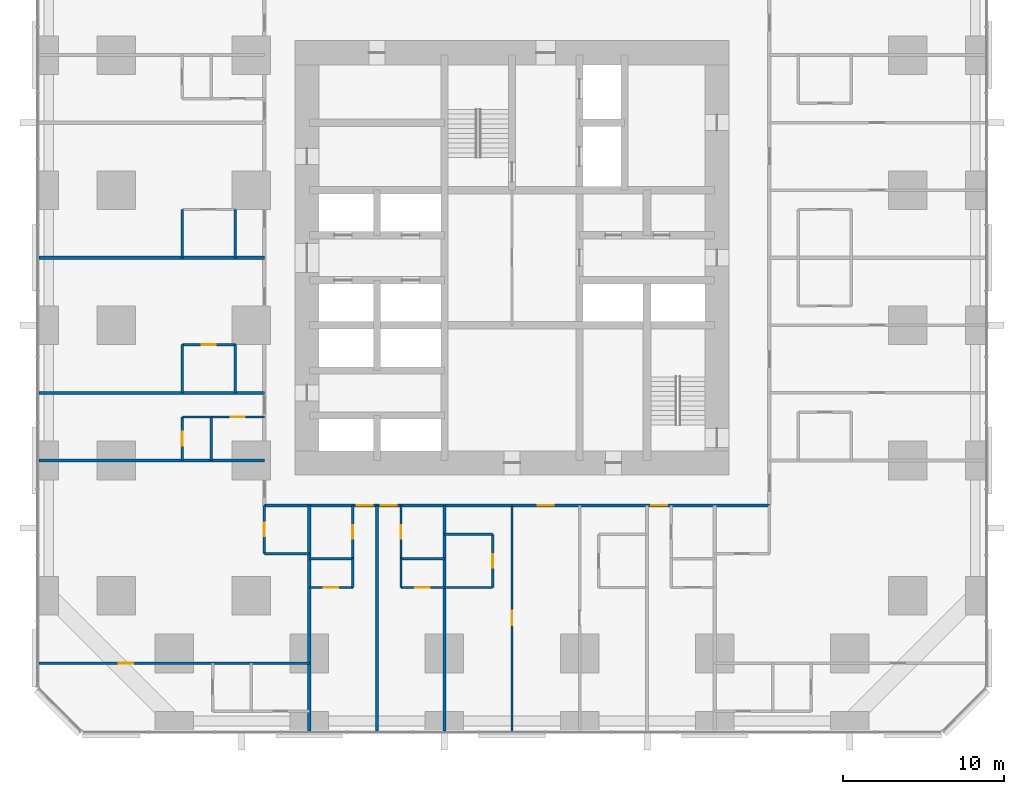
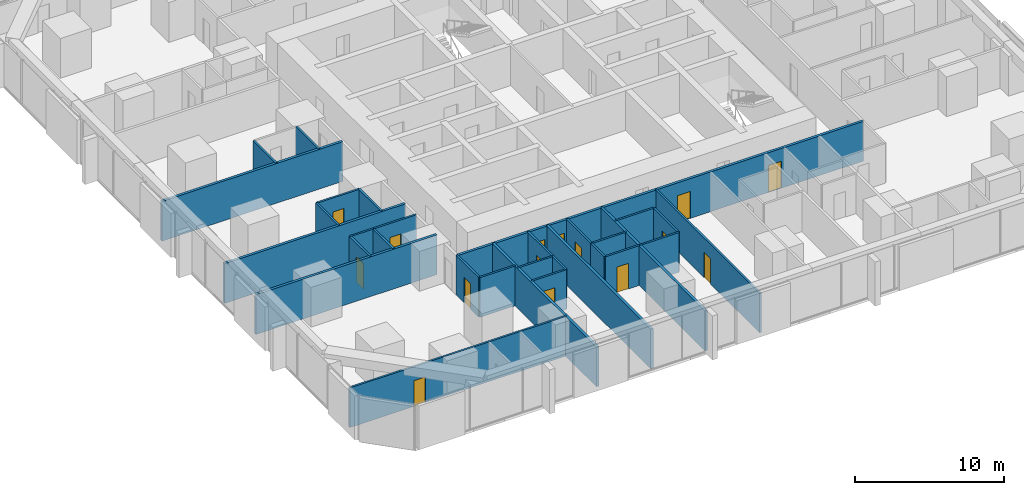
# One storey, part 11 of 17: 31 walls, 15 doors, 15 openings.
"""IFC4 building model written with IfcOpenShell, lengths in metres."""

from ifc_helpers import new_model, si_unit, direction, frame, frame_2d, origin, place, context, subcontext, project, spatial, rectangle, extrude, material, layer, layer_set, type_object, element, fill, save


model = new_model("IFC4")

# Units and contexts
model_context = context("Model", 3, precision=1e-05, world=origin(), true_north=direction((0.0, 1.0)))
body_context = subcontext(model_context, "Body", "Model", "MODEL_VIEW")
ifc_project = project(units=[si_unit("LENGTHUNIT", "METRE"), si_unit("AREAUNIT", "SQUARE_METRE"), si_unit("VOLUMEUNIT", "CUBIC_METRE"), si_unit("PLANEANGLEUNIT", "RADIAN"), si_unit("MASSUNIT", "GRAM", prefix="KILO")], contexts=[model_context])

# Site, building, storey
site_placement = place(None, origin())
site = spatial("IfcSite", under=ifc_project, at=site_placement, CompositionType="ELEMENT")
building_placement = place(site_placement, origin())
building = spatial("IfcBuilding", under=site, at=building_placement, Name="Dunama Terrace Hotel", CompositionType="ELEMENT")
storey_placement = place(building_placement, frame((0.0, 0.0, 81.0)))
storey = spatial("IfcBuildingStorey", under=building, at=storey_placement, Name="L20", CompositionType="ELEMENT", Elevation=81.0)

# Walls
ifc_material_1 = material(Name="Gypsum board partition", Category="masonry")
ifc_layer_1 = layer(ifc_material_1, 0.14990234375)
ifc_layer_set_1 = layer_set([ifc_layer_1], Name="Bathroom partition 150")
wall_type_1 = type_object("IfcWallType", Name="Bathroom partition 150", PredefinedType="PARTITIONING", material=ifc_layer_set_1)
for number, where, z_axis, x_axis, name in (
    (1, (8.89990234375, 21.0, 0.0), (0.0, 0.0, 1.0), (0.0, 1.0, 0.0), "Bathroom partition 150 L20"),
    (2, (8.89990234375, 29.39990234375, 0.0), (0.0, 0.0, 1.0), (0.0, 1.0, 0.0), "Bathroom partition 150 L20"),
    (3, (12.199951171875, 21.0, 0.0), (0.0, 0.0, 1.0), (0.0, 1.0, 0.0), "Bathroom partition 150 L20"),
    (4, (12.199951171875, 29.39990234375, 0.0), (0.0, 0.0, 1.0), (0.0, 1.0, 0.0), "Bathroom partition 150 L20"),
):
    element("IfcWall", number, at=place(storey_placement, frame(where, z_axis=z_axis, x_axis=x_axis)), inside=storey, type_object=wall_type_1, Name=name, PredefinedType="PARTITIONING", context=body_context, shape_type="SweptSolid", body=[
        extrude(rectangle(XDim=3.0, YDim=0.14990234375, at=frame_2d((1.5, 0.0))), origin(), (0.0, 0.0, 1.0), 3.25),
    ])

# Wall, opening, door
wall_1_placement = place(storey_placement, frame((14.0, 11.0, 0.0), z_axis=(0.0, 0.0, 1.0), x_axis=(0.0, 1.0, 0.0)))
wall_1 = element("IfcWall", 5, at=wall_1_placement, inside=storey, type_object=wall_type_1, Name="Bathroom partition 150 L20", PredefinedType="PARTITIONING", context=body_context, shape_type="SweptSolid", body=[
    extrude(rectangle(XDim=3.0, YDim=0.14990234375, at=frame_2d((1.5, 0.0))), origin(), (0.0, 0.0, 1.0), 3.25),
])
opening_1_placement = place(wall_1_placement, frame((1.074951171875, 0.0, 0.0)))
opening_1 = element("IfcOpeningElement", 6, at=opening_1_placement, cuts=wall_1, Name="Opening L20-054", PredefinedType="OPENING", context=body_context, shape_type="SweptSolid", body=[
    extrude(rectangle(XDim=0.85009765625, YDim=2.10009765625, at=frame_2d((0.425048828125, 1.050048828125))), frame((0.0, 0.0849609375, 0.0), z_axis=(0.0, -1.0, 0.0), x_axis=(1.0, 0.0, 0.0)), (0.0, 0.0, 1.0), 0.169921875),
])
ifc_material_2 = material(Name="Timber door with steel frame", Category="steel")
door_type_1 = type_object("IfcDoorType", Name="Bathroom door 850", OperationType="SINGLE_SWING_LEFT", PredefinedType="DOOR", material=ifc_material_2)
door_1_placement = place(opening_1_placement, frame((0.85009765625, 0.0, 0.0), z_axis=(0.0, 0.0, 1.0), x_axis=(-1.0, 0.0, 0.0)))
door_1 = element("IfcDoor", 7, at=door_1_placement, inside=storey, type_object=door_type_1, Name="Door to powder room L20-054, type D2", OperationType="SINGLE_SWING_LEFT", OverallHeight=2.10009765625, OverallWidth=0.85009765625, PredefinedType="DOOR", context=body_context, shape_type="SweptSolid", body=[
    extrude(rectangle(XDim=0.85009765625, YDim=2.10009765625, at=frame_2d((0.425048828125, 1.050048828125))), frame((0.0, 0.025146484375, 0.0), z_axis=(0.0, -1.0, 0.0), x_axis=(1.0, 0.0, 0.0)), (0.0, 0.0, 1.0), 0.050048828125),
])
fill(opening_1, door_1)

wall_2_placement = place(storey_placement, frame((19.5, 10.699951171875, 0.0), z_axis=(0.0, 0.0, 1.0), x_axis=(0.0, 1.0, 0.0)))
wall_2 = element("IfcWall", 8, at=wall_2_placement, inside=storey, type_object=wall_type_1, Name="Bathroom partition 150 L20", PredefinedType="PARTITIONING", context=body_context, shape_type="SweptSolid", body=[
    extrude(rectangle(XDim=3.300048828125, YDim=0.14990234375, at=frame_2d((1.64990234375, 0.0))), origin(), (0.0, 0.0, 1.0), 3.25),
])
opening_2_placement = place(wall_2_placement, frame((1.22509765625, 0.0, 0.0)))
opening_2 = element("IfcOpeningElement", 9, at=opening_2_placement, cuts=wall_2, Name="Opening L20-010", PredefinedType="OPENING", context=body_context, shape_type="SweptSolid", body=[
    extrude(rectangle(XDim=0.85009765625, YDim=2.10009765625, at=frame_2d((0.425048828125, 1.050048828125))), frame((0.0, 0.0849609375, 0.0), z_axis=(0.0, -1.0, 0.0), x_axis=(1.0, 0.0, 0.0)), (0.0, 0.0, 1.0), 0.169921875),
])
door_2_placement = place(opening_2_placement, origin())
door_2 = element("IfcDoor", 10, at=door_2_placement, inside=storey, type_object=door_type_1, Name="Door to en-suite bathroom L20-010, type D2", OperationType="SINGLE_SWING_RIGHT", OverallHeight=2.10009765625, OverallWidth=0.85009765625, PredefinedType="DOOR", context=body_context, shape_type="SweptSolid", body=[
    extrude(rectangle(XDim=0.85009765625, YDim=2.10009765625, at=frame_2d((0.425048828125, 1.050048828125))), frame((0.0, 0.02490234375, 0.0), z_axis=(0.0, -1.0, 0.0), x_axis=(1.0, 0.0, 0.0)), (0.0, 0.0, 1.0), 0.050048828125),
])
fill(opening_2, door_2)

wall_3_placement = place(storey_placement, frame((22.5, 10.699951171875, 0.0), z_axis=(0.0, 0.0, 1.0), x_axis=(0.0, 1.0, 0.0)))
wall_3 = element("IfcWall", 11, at=wall_3_placement, inside=storey, type_object=wall_type_1, Name="Bathroom partition 150 L20", PredefinedType="PARTITIONING", context=body_context, shape_type="SweptSolid", body=[
    extrude(rectangle(XDim=3.300048828125, YDim=0.14990234375, at=frame_2d((1.64990234375, 0.0))), origin(), (0.0, 0.0, 1.0), 3.25),
])
opening_3_placement = place(wall_3_placement, frame((1.22509765625, 0.0, 0.0)))
opening_3 = element("IfcOpeningElement", 12, at=opening_3_placement, cuts=wall_3, Name="Opening L20-013", PredefinedType="OPENING", context=body_context, shape_type="SweptSolid", body=[
    extrude(rectangle(XDim=0.85009765625, YDim=2.10009765625, at=frame_2d((0.425048828125, 1.050048828125))), frame((0.0, 0.0849609375, 0.0), z_axis=(0.0, -1.0, 0.0), x_axis=(1.0, 0.0, 0.0)), (0.0, 0.0, 1.0), 0.169921875),
])
door_3_placement = place(opening_3_placement, frame((0.85009765625, 0.0, 0.0), z_axis=(0.0, 0.0, 1.0), x_axis=(-1.0, 0.0, 0.0)))
door_3 = element("IfcDoor", 13, at=door_3_placement, inside=storey, type_object=door_type_1, Name="Door to en-suite bathroom L20-013, type D2", OperationType="SINGLE_SWING_LEFT", OverallHeight=2.10009765625, OverallWidth=0.85009765625, PredefinedType="DOOR", context=body_context, shape_type="SweptSolid", body=[
    extrude(rectangle(XDim=0.85009765625, YDim=2.10009765625, at=frame_2d((0.425048828125, 1.050048828125))), frame((0.0, 0.025146484375, 0.0), z_axis=(0.0, -1.0, 0.0), x_axis=(1.0, 0.0, 0.0)), (0.0, 0.0, 1.0), 0.050048828125),
])
fill(opening_3, door_3)

wall_4_placement = place(storey_placement, frame((28.199951171875, 8.89990234375, 0.0), z_axis=(0.0, 0.0, 1.0), x_axis=(0.0, 1.0, 0.0)))
wall_4 = element("IfcWall", 14, at=wall_4_placement, inside=storey, type_object=wall_type_1, Name="Bathroom partition 150 L20", PredefinedType="PARTITIONING", context=body_context, shape_type="SweptSolid", body=[
    extrude(rectangle(XDim=3.300048828125, YDim=0.14990234375, at=frame_2d((1.64990234375, 0.0))), origin(), (0.0, 0.0, 1.0), 3.25),
])
opening_4_placement = place(wall_4_placement, frame((1.22509765625, 0.0, 0.0)))
opening_4 = element("IfcOpeningElement", 15, at=opening_4_placement, cuts=wall_4, Name="Opening L20-017", PredefinedType="OPENING", context=body_context, shape_type="SweptSolid", body=[
    extrude(rectangle(XDim=0.85009765625, YDim=2.10009765625, at=frame_2d((0.425048828125, 1.050048828125))), frame((0.0, 0.0849609375, 0.0), z_axis=(0.0, -1.0, 0.0), x_axis=(1.0, 0.0, 0.0)), (0.0, 0.0, 1.0), 0.169921875),
])
door_4_placement = place(opening_4_placement, origin())
door_4 = element("IfcDoor", 16, at=door_4_placement, inside=storey, type_object=door_type_1, Name="Door to en-suite bathroom L20-017, type D2", OperationType="SINGLE_SWING_LEFT", OverallHeight=2.10009765625, OverallWidth=0.85009765625, PredefinedType="DOOR", context=body_context, shape_type="SweptSolid", body=[
    extrude(rectangle(XDim=0.85009765625, YDim=2.10009765625, at=frame_2d((0.425048828125, 1.050048828125))), frame((0.0, 0.02490234375, 0.0), z_axis=(0.0, -1.0, 0.0), x_axis=(1.0, 0.0, 0.0)), (0.0, 0.0, 1.0), 0.050048828125),
])
fill(opening_4, door_4)

# Walls
wall_5_placement = place(storey_placement, frame((25.199951171875, 8.89990234375, 0.0), z_axis=(0.0, 0.0, 1.0), x_axis=(1.0, 0.0, 0.0)))
element("IfcWall", 17, at=wall_5_placement, inside=storey, type_object=wall_type_1, Name="Bathroom partition 150 L20", PredefinedType="PARTITIONING", context=body_context, shape_type="SweptSolid", body=[
    extrude(rectangle(XDim=3.0, YDim=0.14990234375, at=frame_2d((1.5, 0.0))), origin(), (0.0, 0.0, 1.0), 3.25),
])
wall_6_placement = place(storey_placement, frame((14.0, 11.0, 0.0), z_axis=(0.0, 0.0, 1.0), x_axis=(1.0, 0.0, 0.0)))
element("IfcWall", 18, at=wall_6_placement, inside=storey, type_object=wall_type_1, Name="Bathroom partition 150 L20", PredefinedType="PARTITIONING", context=body_context, shape_type="SweptSolid", body=[
    extrude(rectangle(XDim=2.800048828125, YDim=0.14990234375, at=frame_2d((1.39990234375, 0.0))), origin(), (0.0, 0.0, 1.0), 3.25),
])
wall_7_placement = place(storey_placement, frame((25.199951171875, 12.199951171875, 0.0), z_axis=(0.0, 0.0, 1.0), x_axis=(1.0, 0.0, 0.0)))
element("IfcWall", 19, at=wall_7_placement, inside=storey, type_object=wall_type_1, Name="Bathroom partition 150 L20", PredefinedType="PARTITIONING", context=body_context, shape_type="SweptSolid", body=[
    extrude(rectangle(XDim=3.0, YDim=0.14990234375, at=frame_2d((1.5, 0.0))), origin(), (0.0, 0.0, 1.0), 3.25),
])

# Wall, opening, door
wall_8_placement = place(storey_placement, frame((10.699951171875, 19.5, 0.0), z_axis=(0.0, 0.0, 1.0), x_axis=(1.0, 0.0, 0.0)))
wall_8 = element("IfcWall", 20, at=wall_8_placement, inside=storey, type_object=wall_type_1, Name="Bathroom partition 150 L20", PredefinedType="PARTITIONING", context=body_context, shape_type="SweptSolid", body=[
    extrude(rectangle(XDim=3.300048828125, YDim=0.14990234375, at=frame_2d((1.64990234375, 0.0))), origin(), (0.0, 0.0, 1.0), 3.25),
])
opening_5_placement = place(wall_8_placement, frame((1.22509765625, 0.0, 0.0)))
opening_5 = element("IfcOpeningElement", 21, at=opening_5_placement, cuts=wall_8, Name="Opening L20-044", PredefinedType="OPENING", context=body_context, shape_type="SweptSolid", body=[
    extrude(rectangle(XDim=0.85009765625, YDim=2.10009765625, at=frame_2d((0.425048828125, 1.050048828125))), frame((0.0, 0.0849609375, 0.0), z_axis=(0.0, -1.0, 0.0), x_axis=(1.0, 0.0, 0.0)), (0.0, 0.0, 1.0), 0.169921875),
])
door_5_placement = place(opening_5_placement, frame((0.85009765625, 0.0, 0.0), z_axis=(0.0, 0.0, 1.0), x_axis=(-1.0, 0.0, 0.0)))
door_5 = element("IfcDoor", 22, at=door_5_placement, inside=storey, type_object=door_type_1, Name="Door to en-suite bathroom L20-044, type D2", OperationType="SINGLE_SWING_LEFT", OverallHeight=2.10009765625, OverallWidth=0.85009765625, PredefinedType="DOOR", context=body_context, shape_type="SweptSolid", body=[
    extrude(rectangle(XDim=0.85009765625, YDim=2.10009765625, at=frame_2d((0.425048828125, 1.050048828125))), frame((0.0, 0.025146484375, 0.0), z_axis=(0.0, -1.0, 0.0), x_axis=(1.0, 0.0, 0.0)), (0.0, 0.0, 1.0), 0.050048828125),
])
fill(opening_5, door_5)

wall_9_placement = place(storey_placement, frame((8.89990234375, 24.0, 0.0), z_axis=(0.0, 0.0, 1.0), x_axis=(1.0, 0.0, 0.0)))
wall_9 = element("IfcWall", 23, at=wall_9_placement, inside=storey, type_object=wall_type_1, Name="Bathroom partition 150 L20", PredefinedType="PARTITIONING", context=body_context, shape_type="SweptSolid", body=[
    extrude(rectangle(XDim=3.300048828125, YDim=0.14990234375, at=frame_2d((1.64990234375, 0.0))), origin(), (0.0, 0.0, 1.0), 3.25),
])
opening_6_placement = place(wall_9_placement, frame((1.22509765625, 0.0, 0.0)))
opening_6 = element("IfcOpeningElement", 24, at=opening_6_placement, cuts=wall_9, Name="Opening L20-047", PredefinedType="OPENING", context=body_context, shape_type="SweptSolid", body=[
    extrude(rectangle(XDim=0.85009765625, YDim=2.10009765625, at=frame_2d((0.425048828125, 1.050048828125))), frame((0.0, 0.0849609375, 0.0), z_axis=(0.0, -1.0, 0.0), x_axis=(1.0, 0.0, 0.0)), (0.0, 0.0, 1.0), 0.169921875),
])
door_6_placement = place(opening_6_placement, frame((0.85009765625, 0.0, 0.0), z_axis=(0.0, 0.0, 1.0), x_axis=(-1.0, 0.0, 0.0)))
door_6 = element("IfcDoor", 25, at=door_6_placement, inside=storey, type_object=door_type_1, Name="Door to en-suite bathroom L20-047, type D2", OperationType="SINGLE_SWING_LEFT", OverallHeight=2.10009765625, OverallWidth=0.85009765625, PredefinedType="DOOR", context=body_context, shape_type="SweptSolid", body=[
    extrude(rectangle(XDim=0.85009765625, YDim=2.10009765625, at=frame_2d((0.425048828125, 1.050048828125))), frame((0.0, 0.025146484375, 0.0), z_axis=(0.0, -1.0, 0.0), x_axis=(1.0, 0.0, 0.0)), (0.0, 0.0, 1.0), 0.050048828125),
])
fill(opening_6, door_6)

# Wall, openings, doors
ifc_material_3 = material(Name="Concrete blockwork", Category="masonry")
ifc_layer_2 = layer(ifc_material_3, 0.199951171875)
ifc_layer_set_2 = layer_set([ifc_layer_2], Name="Corridor partition 200")
wall_type_2 = type_object("IfcWallType", Name="Corridor partition 200", PredefinedType="PARTITIONING", material=ifc_layer_set_2)
wall_10_placement = place(storey_placement, frame((45.39990234375, 14.0, 0.0), z_axis=(0.0, 0.0, 1.0), x_axis=(-1.0, 0.0, 0.0)))
wall_10 = element("IfcWall", 26, at=wall_10_placement, inside=storey, type_object=wall_type_2, Name="Corridor partition 200 L20", PredefinedType="PARTITIONING", context=body_context, shape_type="SweptSolid", body=[
    extrude(rectangle(XDim=31.39990234375, YDim=0.199951171875, at=frame_2d((15.699951171875, 0.0))), origin(), (0.0, 0.0, 1.0), 3.25),
])
opening_7_placement = place(wall_10_placement, frame((24.64990234375, 0.0, 0.0)))
opening_7 = element("IfcOpeningElement", 27, at=opening_7_placement, cuts=wall_10, Name="Opening L20-009", PredefinedType="OPENING", context=body_context, shape_type="SweptSolid", body=[
    extrude(rectangle(XDim=1.0, YDim=2.199951171875, at=frame_2d((0.5, 1.10009765625))), frame((0.0, 0.10986328125, 0.0), z_axis=(0.0, -1.0, 0.0), x_axis=(1.0, 0.0, 0.0)), (0.0, 0.0, 1.0), 0.219970703125),
])
opening_8_placement = place(wall_10_placement, frame((23.14990234375, 0.0, 0.0)))
opening_8 = element("IfcOpeningElement", 28, at=opening_8_placement, cuts=wall_10, Name="Opening L20-012", PredefinedType="OPENING", context=body_context, shape_type="SweptSolid", body=[
    extrude(rectangle(XDim=1.0, YDim=2.199951171875, at=frame_2d((0.5, 1.10009765625))), frame((0.0, 0.10986328125, 0.0), z_axis=(0.0, -1.0, 0.0), x_axis=(1.0, 0.0, 0.0)), (0.0, 0.0, 1.0), 0.219970703125),
])
opening_9_placement = place(wall_10_placement, frame((13.39990234375, 0.0, 0.0)))
opening_9 = element("IfcOpeningElement", 29, at=opening_9_placement, cuts=wall_10, Name="Opening L20-015", PredefinedType="OPENING", context=body_context, shape_type="SweptSolid", body=[
    extrude(rectangle(XDim=1.0, YDim=2.199951171875, at=frame_2d((0.5, 1.10009765625))), frame((0.0, 0.10986328125, 0.0), z_axis=(0.0, -1.0, 0.0), x_axis=(1.0, 0.0, 0.0)), (0.0, 0.0, 1.0), 0.219970703125),
])
opening_10_placement = place(wall_10_placement, frame((6.35009765625, 0.0, 0.0)))
opening_10 = element("IfcOpeningElement", 30, at=opening_10_placement, cuts=wall_10, Name="Opening L20-020", PredefinedType="OPENING", context=body_context, shape_type="SweptSolid", body=[
    extrude(rectangle(XDim=1.0, YDim=2.199951171875, at=frame_2d((0.5, 1.10009765625))), frame((0.0, 0.10986328125, 0.0), z_axis=(0.0, -1.0, 0.0), x_axis=(1.0, 0.0, 0.0)), (0.0, 0.0, 1.0), 0.219970703125),
])
ifc_material_4 = material(Name="Timber door with steel frame", Category="steel")
door_type_2 = type_object("IfcDoorType", Name="Guest room door 1000", OperationType="SINGLE_SWING_LEFT", PredefinedType="DOOR", material=ifc_material_4)
door_7_placement = place(opening_7_placement, origin())
door_7 = element("IfcDoor", 31, at=door_7_placement, inside=storey, type_object=door_type_2, Name="Door to deluxe room L20-009, type D1", OperationType="SINGLE_SWING_LEFT", OverallHeight=2.199951171875, OverallWidth=1.0, PredefinedType="DOOR", context=body_context, shape_type="SweptSolid", body=[
    extrude(rectangle(XDim=1.0, YDim=2.199951171875, at=frame_2d((0.5, 1.10009765625))), frame((0.0, 0.02490234375, 0.0), z_axis=(0.0, -1.0, 0.0), x_axis=(1.0, 0.0, 0.0)), (0.0, 0.0, 1.0), 0.050048828125),
])
fill(opening_7, door_7)
door_8_placement = place(opening_8_placement, origin())
door_8 = element("IfcDoor", 32, at=door_8_placement, inside=storey, type_object=door_type_2, Name="Door to deluxe room L20-012, type D1", OperationType="SINGLE_SWING_RIGHT", OverallHeight=2.199951171875, OverallWidth=1.0, PredefinedType="DOOR", context=body_context, shape_type="SweptSolid", body=[
    extrude(rectangle(XDim=1.0, YDim=2.199951171875, at=frame_2d((0.5, 1.10009765625))), frame((0.0, 0.02490234375, 0.0), z_axis=(0.0, -1.0, 0.0), x_axis=(1.0, 0.0, 0.0)), (0.0, 0.0, 1.0), 0.050048828125),
])
fill(opening_8, door_8)
door_9_placement = place(opening_9_placement, origin())
door_9 = element("IfcDoor", 33, at=door_9_placement, inside=storey, type_object=door_type_2, Name="Door to family suite living room L20-015, type D1", OperationType="SINGLE_SWING_LEFT", OverallHeight=2.199951171875, OverallWidth=1.0, PredefinedType="DOOR", context=body_context, shape_type="SweptSolid", body=[
    extrude(rectangle(XDim=1.0, YDim=2.199951171875, at=frame_2d((0.5, 1.10009765625))), frame((0.0, 0.02490234375, 0.0), z_axis=(0.0, -1.0, 0.0), x_axis=(1.0, 0.0, 0.0)), (0.0, 0.0, 1.0), 0.050048828125),
])
fill(opening_9, door_9)
door_10_placement = place(opening_10_placement, origin())
door_10 = element("IfcDoor", 34, at=door_10_placement, inside=storey, type_object=door_type_2, Name="Door to deluxe room L20-020, type D1", OperationType="SINGLE_SWING_RIGHT", OverallHeight=2.199951171875, OverallWidth=1.0, PredefinedType="DOOR", context=body_context, shape_type="SweptSolid", body=[
    extrude(rectangle(XDim=1.0, YDim=2.199951171875, at=frame_2d((0.5, 1.10009765625))), frame((0.0, 0.02490234375, 0.0), z_axis=(0.0, -1.0, 0.0), x_axis=(1.0, 0.0, 0.0)), (0.0, 0.0, 1.0), 0.050048828125),
])
fill(opening_10, door_10)

# Walls
ifc_material_5 = material(Name="Concrete blockwork", Category="masonry")
ifc_layer_3 = layer(ifc_material_5, 0.199951171875)
ifc_layer_set_3 = layer_set([ifc_layer_3], Name="Party wall 200")
wall_type_3 = type_object("IfcWallType", Name="Party wall 200", PredefinedType="PARTITIONING", material=ifc_layer_set_3)
for number, where, z_axis, x_axis, name in (
    (35, (16.800048828125, -0.008056640625, 0.0), (0.0, 0.0, 1.0), (0.0, 1.0, 0.0), "Party wall 200 L20"),
    (36, (21.0, -0.008056640625, 0.0), (0.0, 0.0, 1.0), (0.0, 1.0, 0.0), "Party wall 200 L20"),
    (37, (25.199951171875, -0.008056640625, 0.0), (0.0, 0.0, 1.0), (0.0, 1.0, 0.0), "Party wall 200 L20"),
    (38, (-0.008056640625, 16.800048828125, 0.0), (0.0, 0.0, 1.0), (1.0, 0.0, 0.0), "Party wall 200 L20"),
    (39, (-0.008056640625, 21.0, 0.0), (0.0, 0.0, 1.0), (1.0, 0.0, 0.0), "Party wall 200 L20"),
    (40, (-0.008056640625, 29.39990234375, 0.0), (0.0, 0.0, 1.0), (1.0, 0.0, 0.0), "Party wall 200 L20"),
):
    element("IfcWall", number, at=place(storey_placement, frame(where, z_axis=z_axis, x_axis=x_axis)), inside=storey, type_object=wall_type_3, Name=name, PredefinedType="PARTITIONING", context=body_context, shape_type="SweptSolid", body=[
        extrude(rectangle(XDim=14.008056640625, YDim=0.199951171875, at=frame_2d((7.00390625, 0.0))), origin(), (0.0, 0.0, 1.0), 3.25),
    ])

# Wall, opening, door
ifc_material_6 = material(Name="Gypsum board partition", Category="masonry")
ifc_layer_4 = layer(ifc_material_6, 0.14990234375)
ifc_layer_set_4 = layer_set([ifc_layer_4], Name="Room partition 150")
wall_type_4 = type_object("IfcWallType", Name="Room partition 150", PredefinedType="PARTITIONING", material=ifc_layer_set_4)
wall_11_placement = place(storey_placement, frame((8.89990234375, 16.800048828125, 0.0), z_axis=(0.0, 0.0, 1.0), x_axis=(0.0, 1.0, 0.0)))
wall_11 = element("IfcWall", 41, at=wall_11_placement, inside=storey, type_object=wall_type_4, Name="Room partition 150 L20", PredefinedType="PARTITIONING", context=body_context, shape_type="SweptSolid", body=[
    extrude(rectangle(XDim=2.699951171875, YDim=0.14990234375, at=frame_2d((1.35009765625, 0.0))), origin(), (0.0, 0.0, 1.0), 3.25),
])
opening_11_placement = place(wall_11_placement, frame((0.89990234375, 0.0, 0.0)))
opening_11 = element("IfcOpeningElement", 42, at=opening_11_placement, cuts=wall_11, Name="Opening L20-045", PredefinedType="OPENING", context=body_context, shape_type="SweptSolid", body=[
    extrude(rectangle(XDim=0.89990234375, YDim=2.10009765625, at=frame_2d((0.449951171875, 1.050048828125))), frame((0.0, 0.0849609375, 0.0), z_axis=(0.0, -1.0, 0.0), x_axis=(1.0, 0.0, 0.0)), (0.0, 0.0, 1.0), 0.169921875),
])
ifc_material_7 = material(Name="Timber door with steel frame", Category="steel")
door_type_3 = type_object("IfcDoorType", Name="Suite internal door 900", OperationType="SINGLE_SWING_LEFT", PredefinedType="DOOR", material=ifc_material_7)
door_11_placement = place(opening_11_placement, frame((0.89990234375, 0.0, 0.0), z_axis=(0.0, 0.0, 1.0), x_axis=(-1.0, 0.0, 0.0)))
door_11 = element("IfcDoor", 43, at=door_11_placement, inside=storey, type_object=door_type_3, Name="Door to walk-in wardrobe L20-045, type D16", OperationType="SINGLE_SWING_RIGHT", OverallHeight=2.10009765625, OverallWidth=0.89990234375, PredefinedType="DOOR", context=body_context, shape_type="SweptSolid", body=[
    extrude(rectangle(XDim=0.89990234375, YDim=2.10009765625, at=frame_2d((0.449951171875, 1.050048828125))), frame((0.0, 0.025146484375, 0.0), z_axis=(0.0, -1.0, 0.0), x_axis=(1.0, 0.0, 0.0)), (0.0, 0.0, 1.0), 0.050048828125),
])
fill(opening_11, door_11)

# Walls
wall_12_placement = place(storey_placement, frame((10.699951171875, 16.800048828125, 0.0), z_axis=(0.0, 0.0, 1.0), x_axis=(0.0, 1.0, 0.0)))
element("IfcWall", 44, at=wall_12_placement, inside=storey, type_object=wall_type_4, Name="Room partition 150 L20", PredefinedType="PARTITIONING", context=body_context, shape_type="SweptSolid", body=[
    extrude(rectangle(XDim=2.699951171875, YDim=0.14990234375, at=frame_2d((1.35009765625, 0.0))), origin(), (0.0, 0.0, 1.0), 3.25),
])
for number, where, z_axis, x_axis, name in (
    (45, (19.5, 8.89990234375, 0.0), (0.0, 0.0, 1.0), (0.0, 1.0, 0.0), "Room partition 150 L20"),
    (46, (22.5, 8.89990234375, 0.0), (0.0, 0.0, 1.0), (0.0, 1.0, 0.0), "Room partition 150 L20"),
):
    element("IfcWall", number, at=place(storey_placement, frame(where, z_axis=z_axis, x_axis=x_axis)), inside=storey, type_object=wall_type_4, Name=name, PredefinedType="PARTITIONING", context=body_context, shape_type="SweptSolid", body=[
        extrude(rectangle(XDim=1.800048828125, YDim=0.14990234375, at=frame_2d((0.89990234375, 0.0))), origin(), (0.0, 0.0, 1.0), 3.25),
    ])

# Wall, opening, door
wall_13_placement = place(storey_placement, frame((29.39990234375, -0.008056640625, 0.0), z_axis=(0.0, 0.0, 1.0), x_axis=(0.0, 1.0, 0.0)))
wall_13 = element("IfcWall", 47, at=wall_13_placement, inside=storey, type_object=wall_type_4, Name="Room partition 150 L20", PredefinedType="PARTITIONING", context=body_context, shape_type="SweptSolid", body=[
    extrude(rectangle(XDim=14.008056640625, YDim=0.14990234375, at=frame_2d((7.00390625, 0.0))), origin(), (0.0, 0.0, 1.0), 3.25),
])
opening_12_placement = place(wall_13_placement, frame((6.55810546875, 0.0, 0.0)))
opening_12 = element("IfcOpeningElement", 48, at=opening_12_placement, cuts=wall_13, Name="Opening L20-016", PredefinedType="OPENING", context=body_context, shape_type="SweptSolid", body=[
    extrude(rectangle(XDim=0.89990234375, YDim=2.10009765625, at=frame_2d((0.449951171875, 1.050048828125))), frame((0.0, 0.0849609375, 0.0), z_axis=(0.0, -1.0, 0.0), x_axis=(1.0, 0.0, 0.0)), (0.0, 0.0, 1.0), 0.169921875),
])
door_12_placement = place(opening_12_placement, origin())
door_12 = element("IfcDoor", 49, at=door_12_placement, inside=storey, type_object=door_type_3, Name="Door to family suite bedroom L20-016, type D16", OperationType="SINGLE_SWING_RIGHT", OverallHeight=2.10009765625, OverallWidth=0.89990234375, PredefinedType="DOOR", context=body_context, shape_type="SweptSolid", body=[
    extrude(rectangle(XDim=0.89990234375, YDim=2.10009765625, at=frame_2d((0.449951171875, 1.050048828125))), frame((0.0, 0.02490234375, 0.0), z_axis=(0.0, -1.0, 0.0), x_axis=(1.0, 0.0, 0.0)), (0.0, 0.0, 1.0), 0.050048828125),
])
fill(opening_12, door_12)

wall_14_placement = place(storey_placement, frame((-0.008056640625, 4.199951171875, 0.0), z_axis=(0.0, 0.0, 1.0), x_axis=(1.0, 0.0, 0.0)))
wall_14 = element("IfcWall", 50, at=wall_14_placement, inside=storey, type_object=wall_type_4, Name="Room partition 150 L20", PredefinedType="PARTITIONING", context=body_context, shape_type="SweptSolid", body=[
    extrude(rectangle(XDim=16.80810546875, YDim=0.14990234375, at=frame_2d((8.404052734375, 0.0))), origin(), (0.0, 0.0, 1.0), 3.25),
])
opening_13_placement = place(wall_14_placement, frame((4.9580078125, 0.0, 0.0)))
opening_13 = element("IfcOpeningElement", 51, at=opening_13_placement, cuts=wall_14, Name="Opening L20-055", PredefinedType="OPENING", context=body_context, shape_type="SweptSolid", body=[
    extrude(rectangle(XDim=0.89990234375, YDim=2.10009765625, at=frame_2d((0.449951171875, 1.050048828125))), frame((0.0, 0.0849609375, 0.0), z_axis=(0.0, -1.0, 0.0), x_axis=(1.0, 0.0, 0.0)), (0.0, 0.0, 1.0), 0.169921875),
])
door_13_placement = place(opening_13_placement, frame((0.89990234375, 0.0, 0.0), z_axis=(0.0, 0.0, 1.0), x_axis=(-1.0, 0.0, 0.0)))
door_13 = element("IfcDoor", 52, at=door_13_placement, inside=storey, type_object=door_type_3, Name="Door to corner suite bedroom L20-055, type D16", OperationType="SINGLE_SWING_LEFT", OverallHeight=2.10009765625, OverallWidth=0.89990234375, PredefinedType="DOOR", context=body_context, shape_type="SweptSolid", body=[
    extrude(rectangle(XDim=0.89990234375, YDim=2.10009765625, at=frame_2d((0.449951171875, 1.050048828125))), frame((0.0, 0.025146484375, 0.0), z_axis=(0.0, -1.0, 0.0), x_axis=(1.0, 0.0, 0.0)), (0.0, 0.0, 1.0), 0.050048828125),
])
fill(opening_13, door_13)

wall_15_placement = place(storey_placement, frame((16.800048828125, 8.89990234375, 0.0), z_axis=(0.0, 0.0, 1.0), x_axis=(1.0, 0.0, 0.0)))
wall_15 = element("IfcWall", 53, at=wall_15_placement, inside=storey, type_object=wall_type_4, Name="Room partition 150 L20", PredefinedType="PARTITIONING", context=body_context, shape_type="SweptSolid", body=[
    extrude(rectangle(XDim=2.699951171875, YDim=0.14990234375, at=frame_2d((1.35009765625, 0.0))), origin(), (0.0, 0.0, 1.0), 3.25),
])
opening_14_placement = place(wall_15_placement, frame((0.89990234375, 0.0, 0.0)))
opening_14 = element("IfcOpeningElement", 54, at=opening_14_placement, cuts=wall_15, Name="Opening L20-011", PredefinedType="OPENING", context=body_context, shape_type="SweptSolid", body=[
    extrude(rectangle(XDim=0.89990234375, YDim=2.10009765625, at=frame_2d((0.449951171875, 1.050048828125))), frame((0.0, 0.0849609375, 0.0), z_axis=(0.0, -1.0, 0.0), x_axis=(1.0, 0.0, 0.0)), (0.0, 0.0, 1.0), 0.169921875),
])
door_14_placement = place(opening_14_placement, origin())
door_14 = element("IfcDoor", 55, at=door_14_placement, inside=storey, type_object=door_type_3, Name="Door to walk-in wardrobe L20-011, type D16", OperationType="SINGLE_SWING_LEFT", OverallHeight=2.10009765625, OverallWidth=0.89990234375, PredefinedType="DOOR", context=body_context, shape_type="SweptSolid", body=[
    extrude(rectangle(XDim=0.89990234375, YDim=2.10009765625, at=frame_2d((0.449951171875, 1.050048828125))), frame((0.0, 0.02490234375, 0.0), z_axis=(0.0, -1.0, 0.0), x_axis=(1.0, 0.0, 0.0)), (0.0, 0.0, 1.0), 0.050048828125),
])
fill(opening_14, door_14)

wall_16_placement = place(storey_placement, frame((22.5, 8.89990234375, 0.0), z_axis=(0.0, 0.0, 1.0), x_axis=(1.0, 0.0, 0.0)))
wall_16 = element("IfcWall", 56, at=wall_16_placement, inside=storey, type_object=wall_type_4, Name="Room partition 150 L20", PredefinedType="PARTITIONING", context=body_context, shape_type="SweptSolid", body=[
    extrude(rectangle(XDim=2.699951171875, YDim=0.14990234375, at=frame_2d((1.35009765625, 0.0))), origin(), (0.0, 0.0, 1.0), 3.25),
])
opening_15_placement = place(wall_16_placement, frame((0.89990234375, 0.0, 0.0)))
opening_15 = element("IfcOpeningElement", 57, at=opening_15_placement, cuts=wall_16, Name="Opening L20-014", PredefinedType="OPENING", context=body_context, shape_type="SweptSolid", body=[
    extrude(rectangle(XDim=0.89990234375, YDim=2.10009765625, at=frame_2d((0.449951171875, 1.050048828125))), frame((0.0, 0.0849609375, 0.0), z_axis=(0.0, -1.0, 0.0), x_axis=(1.0, 0.0, 0.0)), (0.0, 0.0, 1.0), 0.169921875),
])
door_15_placement = place(opening_15_placement, origin())
door_15 = element("IfcDoor", 58, at=door_15_placement, inside=storey, type_object=door_type_3, Name="Door to walk-in wardrobe L20-014, type D16", OperationType="SINGLE_SWING_RIGHT", OverallHeight=2.10009765625, OverallWidth=0.89990234375, PredefinedType="DOOR", context=body_context, shape_type="SweptSolid", body=[
    extrude(rectangle(XDim=0.89990234375, YDim=2.10009765625, at=frame_2d((0.449951171875, 1.050048828125))), frame((0.0, 0.02490234375, 0.0), z_axis=(0.0, -1.0, 0.0), x_axis=(1.0, 0.0, 0.0)), (0.0, 0.0, 1.0), 0.050048828125),
])
fill(opening_15, door_15)

# Walls
for number, where, z_axis, x_axis, name in (
    (59, (16.800048828125, 10.699951171875, 0.0), (0.0, 0.0, 1.0), (1.0, 0.0, 0.0), "Room partition 150 L20"),
    (60, (22.5, 10.699951171875, 0.0), (0.0, 0.0, 1.0), (1.0, 0.0, 0.0), "Room partition 150 L20"),
):
    element("IfcWall", number, at=place(storey_placement, frame(where, z_axis=z_axis, x_axis=x_axis)), inside=storey, type_object=wall_type_4, Name=name, PredefinedType="PARTITIONING", context=body_context, shape_type="SweptSolid", body=[
        extrude(rectangle(XDim=2.699951171875, YDim=0.14990234375, at=frame_2d((1.35009765625, 0.0))), origin(), (0.0, 0.0, 1.0), 3.25),
    ])
wall_17_placement = place(storey_placement, frame((8.89990234375, 19.5, 0.0), z_axis=(0.0, 0.0, 1.0), x_axis=(1.0, 0.0, 0.0)))
element("IfcWall", 61, at=wall_17_placement, inside=storey, type_object=wall_type_4, Name="Room partition 150 L20", PredefinedType="PARTITIONING", context=body_context, shape_type="SweptSolid", body=[
    extrude(rectangle(XDim=1.800048828125, YDim=0.14990234375, at=frame_2d((0.89990234375, 0.0))), origin(), (0.0, 0.0, 1.0), 3.25),
])

save(model, "model.ifc")
